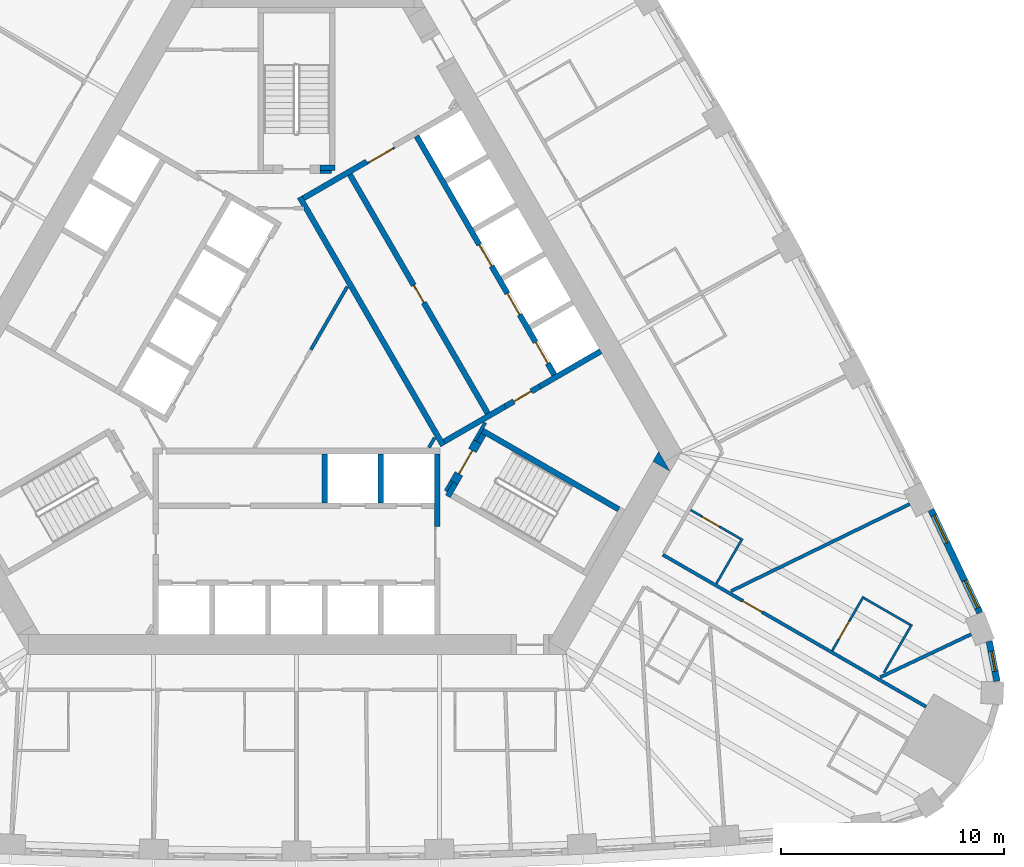
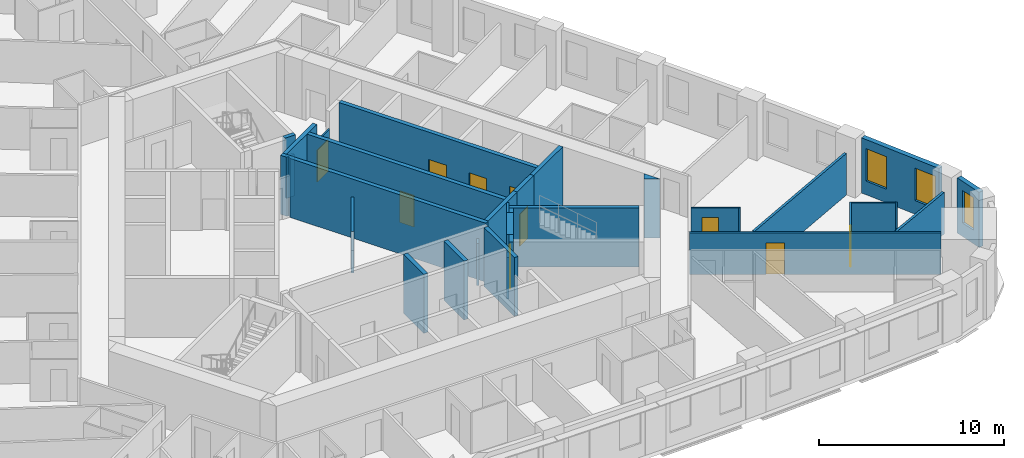
# One storey, part 8 of 13: 32 walls, 10 doors, 3 windows, 13 openings.
"""IFC4 building model written with IfcOpenShell, lengths in metres."""

from ifc_helpers import new_model, si_unit, direction, frame, frame_2d, origin, place, context, subcontext, project, spatial, polyline, rectangle, outline, extrude, material, layer, layer_set, type_object, element, fill, save


model = new_model("IFC4")

# Units and contexts
model_context = context("Model", 3, precision=1e-05, world=origin(), true_north=direction((0.0, 1.0)))
body_context = subcontext(model_context, "Body", "Model", "MODEL_VIEW")
ifc_project = project(units=[si_unit("LENGTHUNIT", "METRE"), si_unit("AREAUNIT", "SQUARE_METRE"), si_unit("VOLUMEUNIT", "CUBIC_METRE"), si_unit("PLANEANGLEUNIT", "RADIAN"), si_unit("MASSUNIT", "GRAM", prefix="KILO")], contexts=[model_context])

# Site, building, storey
site_placement = place(None, origin())
site = spatial("IfcSite", under=ifc_project, at=site_placement, CompositionType="ELEMENT")
building_placement = place(site_placement, origin())
building = spatial("IfcBuilding", under=site, at=building_placement, Name="Mestral Congress Tower", CompositionType="ELEMENT")
storey_placement = place(building_placement, frame((0.0, 0.0, 87.60009765625)))
storey = spatial("IfcBuildingStorey", under=building, at=storey_placement, Name="L20", CompositionType="ELEMENT", Elevation=87.60009765625)

# Walls
ifc_material_1 = material(Name="Fire-rated board partition")
ifc_layer_1 = layer(ifc_material_1, 0.14990234375)
ifc_layer_set_1 = layer_set([ifc_layer_1], Name="Fire-rated board partition")
wall_type_1 = type_object("IfcWallType", Name="Core partition 150", PredefinedType="PARTITIONING", material=ifc_layer_set_1)
wall_1_placement = place(storey_placement, frame((6.94482421875, -5.22216796875, 0.0), z_axis=(0.0, 0.0, 1.0), x_axis=(-0.499818422106, -0.866130212453, 0.0)))
element("IfcWall", 1, at=wall_1_placement, inside=storey, type_object=wall_type_1, Name="L20 core wall", PredefinedType="PARTITIONING", context=body_context, shape_type="SweptSolid", body=[
    extrude(rectangle(XDim=0.513916015625, YDim=0.14990234375, at=frame_2d((0.2568359375, 0.0))), origin(), (0.0, 0.0, 1.0), 2.75),
])
wall_2_placement = place(storey_placement, frame((5.935791015625, -3.718017578125, 0.0), z_axis=(0.0, 0.0, 1.0), x_axis=(0.499890179513, 0.866088799389, 0.0)))
element("IfcWall", 2, at=wall_2_placement, inside=storey, type_object=wall_type_1, Name="L20 core wall", PredefinedType="PARTITIONING", context=body_context, shape_type="SweptSolid", body=[
    extrude(rectangle(XDim=0.50390625, YDim=0.14990234375, at=frame_2d((0.251953125, 0.0))), origin(), (0.0, 0.0, 1.0), 2.75),
])
wall_3_placement = place(storey_placement, frame((0.64501953125, 0.6669921875, 0.0), z_axis=(0.0, 0.0, 1.0), x_axis=(0.499977178999, 0.866038579095, 0.0)))
element("IfcWall", 3, at=wall_3_placement, inside=storey, type_object=wall_type_1, Name="L20 core wall", PredefinedType="PARTITIONING", context=body_context, shape_type="SweptSolid", body=[
    extrude(rectangle(XDim=3.263427734375, YDim=0.14990234375, at=frame_2d((1.6318359375, 0.0))), origin(), (0.0, 0.0, 1.0), 2.75),
])
wall_4_placement = place(storey_placement, frame((1.050048828125, 8.62548828125, 0.0), z_axis=(0.0, 0.0, 1.0), x_axis=(1.0, 0.0, 0.0)))
element("IfcWall", 4, at=wall_4_placement, inside=storey, type_object=wall_type_1, Name="L20 core wall", PredefinedType="PARTITIONING", context=body_context, shape_type="SweptSolid", body=[
    extrude(rectangle(XDim=0.513916015625, YDim=0.14990234375, at=frame_2d((0.2568359375, 0.0))), origin(), (0.0, 0.0, 1.0), 2.75),
])

# Wall, opening, door
ifc_layer_2 = layer(ifc_material_1, 0.090087890625)
ifc_layer_set_2 = layer_set([ifc_layer_2], Name="Fire-rated board partition")
wall_type_2 = type_object("IfcWallType", Name="Core partition 150 door-wall 90", PredefinedType="PARTITIONING", material=ifc_layer_set_2)
wall_5_placement = place(storey_placement, frame((3.182861328125, 9.02001953125, 0.0), z_axis=(0.0, 0.0, 1.0), x_axis=(0.866034573852, 0.49998411664, 0.0)))
wall_5 = element("IfcWall", 5, at=wall_5_placement, inside=storey, type_object=wall_type_2, Name="L20 door wall", PredefinedType="PARTITIONING", context=body_context, shape_type="SweptSolid", body=[
    extrude(rectangle(XDim=1.39990234375, YDim=0.090087890625, at=frame_2d((0.699951171875, 0.0))), origin(), (0.0, 0.0, 1.0), 2.75),
])
opening_1_placement = place(wall_5_placement, frame((0.10009765625, 0.0, 0.0)))
opening_1 = element("IfcOpeningElement", 6, at=opening_1_placement, cuts=wall_5, Name="Opening LB1-WL2", PredefinedType="OPENING", context=body_context, shape_type="SweptSolid", body=[
    extrude(rectangle(XDim=1.199951171875, YDim=2.10009765625, at=frame_2d((0.60009765625, 1.050048828125))), frame((0.0, 0.054931640625, 0.0), z_axis=(0.0, -1.0, 0.0), x_axis=(1.0, 0.0, 0.0)), (0.0, 0.0, 1.0), 0.110107421875),
])
ifc_material_2 = material(Name="Fire-rated steel door set", Category="steel")
door_type_1 = type_object("IfcDoorType", Name="Core door LB 1200x2100", OperationType="SINGLE_SWING_LEFT", PredefinedType="DOOR", material=ifc_material_2)
door_1_placement = place(opening_1_placement, origin())
door_1 = element("IfcDoor", 7, at=door_1_placement, inside=storey, type_object=door_type_1, Name="Door LB1-WL2", OperationType="SINGLE_SWING_LEFT", OverallHeight=2.10009765625, OverallWidth=1.199951171875, PredefinedType="DOOR", context=body_context, shape_type="SweptSolid", body=[
    extrude(rectangle(XDim=1.199951171875, YDim=2.10009765625, at=frame_2d((0.60009765625, 1.050048828125))), frame((0.0, 0.02490234375, 0.0), z_axis=(0.0, -1.0, 0.0), x_axis=(1.0, 0.0, 0.0)), (0.0, 0.0, 1.0), 0.050048828125),
])
fill(opening_1, door_1)

# Wall
ifc_material_3 = material(Name="Concrete C60/75", Category="concrete")
ifc_layer_3 = layer(ifc_material_3, 0.89990234375)
ifc_layer_set_3 = layer_set([ifc_layer_3], Name="Concrete C60/75")
wall_type_3 = type_object("IfcWallType", Name="Core wall RC 900", PredefinedType="SOLIDWALL", material=ifc_layer_set_3)
placement = place(storey_placement, origin())
element("IfcWall", 8, at=placement, inside=storey, type_object=wall_type_3, Name="L20 core wall", PredefinedType="SOLIDWALL", context=body_context, shape_type="SweptSolid", body=[
    extrude(outline(polyline([(16.223388671875, -3.900146484375), (16.731689453125, -4.780029296875), (15.969482421875, -4.340087890625), (16.223388671875, -3.900146484375)])), origin(), (0.0, 0.0, 1.0), 3.89990234375),
])

# Wall, opening, window
ifc_material_4 = material(Name="Precast concrete C40/50 with limestone facing", Category="masonry")
ifc_layer_4 = layer(ifc_material_4, 0.2900390625)
ifc_layer_set_4 = layer_set([ifc_layer_4], Name="Precast concrete C40/50 with limestone facing")
wall_type_4 = type_object("IfcWallType", Name="Facade stone wall 290", PredefinedType="SOLIDWALL", material=ifc_layer_set_4)
wall_7_placement = place(storey_placement, frame((31.385498046875, -14.189208984375, 0.0), z_axis=(0.0, 0.0, 1.0), x_axis=(-0.190409913989, 0.981704672829, 0.0)))
wall_7 = element("IfcWall", 9, at=wall_7_placement, inside=storey, type_object=wall_type_4, Name="Facade wall K0-3", PredefinedType="SOLIDWALL", context=body_context, shape_type="SweptSolid", body=[
    extrude(rectangle(XDim=1.8193359375, YDim=0.2900390625, at=frame_2d((0.90966796875, 0.0))), origin(), (0.0, 0.0, 1.0), 3.64990234375),
])
opening_2_placement = place(wall_7_placement, frame((0.459716796875, 0.0, 0.89990234375)))
opening_2 = element("IfcOpeningElement", 10, at=opening_2_placement, cuts=wall_7, Name="Opening W3", PredefinedType="OPENING", context=body_context, shape_type="SweptSolid", body=[
    extrude(rectangle(XDim=0.89990234375, YDim=2.14990234375, at=frame_2d((0.449951171875, 1.074951171875))), frame((0.0, 0.155029296875, 0.0), z_axis=(0.0, -1.0, 0.0), x_axis=(1.0, 0.0, 0.0)), (0.0, 0.0, 1.0), 0.31005859375),
])
ifc_material_5 = material(Name="Clear low-emissivity double glazing", Category="glass")
window_type_1 = type_object("IfcWindowType", Name="Facade punched window 900 x 2150 sill 900", PartitioningType="SINGLE_PANEL", PredefinedType="WINDOW", material=ifc_material_5)
window_1_placement = place(opening_2_placement, origin())
window_1 = element("IfcWindow", 11, at=window_1_placement, inside=storey, type_object=window_type_1, Name="Window K0-3", OverallHeight=2.14990234375, OverallWidth=0.89990234375, PartitioningType="SINGLE_PANEL", PredefinedType="WINDOW", context=body_context, shape_type="SweptSolid", body=[
    extrude(rectangle(XDim=0.89990234375, YDim=2.14990234375, at=frame_2d((0.449951171875, 1.074951171875))), frame((0.0, 0.01513671875, 0.0), z_axis=(0.0, -1.0, 0.0), x_axis=(1.0, 0.0, 0.0)), (0.0, 0.0, 1.0), 0.06005859375),
])
fill(opening_2, window_1)

# Wall, openings, windows
wall_8_placement = place(storey_placement, frame((30.61962890625, -11.127197265625, 0.0), z_axis=(0.0, 0.0, 1.0), x_axis=(-0.427543726596, 0.903994669148, 0.0)))
wall_8 = element("IfcWall", 12, at=wall_8_placement, inside=storey, type_object=wall_type_4, Name="Facade wall F1-00", PredefinedType="SOLIDWALL", context=body_context, shape_type="SweptSolid", body=[
    extrude(rectangle(XDim=5.106689453125, YDim=0.2900390625, at=frame_2d((2.55322265625, 0.0))), origin(), (0.0, 0.0, 1.0), 3.64990234375),
])
opening_3_placement = place(wall_8_placement, frame((0.240478515625, 0.0, 0.89990234375)))
opening_3 = element("IfcOpeningElement", 13, at=opening_3_placement, cuts=wall_8, Name="Opening W2", PredefinedType="OPENING", context=body_context, shape_type="SweptSolid", body=[
    extrude(rectangle(XDim=1.35009765625, YDim=2.14990234375, at=frame_2d((0.675048828125, 1.074951171875))), frame((0.0, 0.155029296875, 0.0), z_axis=(0.0, -1.0, 0.0), x_axis=(1.0, 0.0, 0.0)), (0.0, 0.0, 1.0), 0.31005859375),
])
opening_4_placement = place(wall_8_placement, frame((3.47119140625, 0.0, 0.89990234375)))
opening_4 = element("IfcOpeningElement", 14, at=opening_4_placement, cuts=wall_8, Name="Opening W2", PredefinedType="OPENING", context=body_context, shape_type="SweptSolid", body=[
    extrude(rectangle(XDim=1.35009765625, YDim=2.14990234375, at=frame_2d((0.675048828125, 1.074951171875))), frame((0.0, 0.155029296875, 0.0), z_axis=(0.0, -1.0, 0.0), x_axis=(1.0, 0.0, 0.0)), (0.0, 0.0, 1.0), 0.31005859375),
])
window_type_2 = type_object("IfcWindowType", Name="Facade punched window 1350 x 2150 sill 900", PartitioningType="DOUBLE_PANEL_VERTICAL", PredefinedType="WINDOW", material=ifc_material_5)
window_2_placement = place(opening_3_placement, origin())
window_2 = element("IfcWindow", 15, at=window_2_placement, inside=storey, type_object=window_type_2, Name="Window F1-00a", OverallHeight=2.14990234375, OverallWidth=1.35009765625, PartitioningType="DOUBLE_PANEL_VERTICAL", PredefinedType="WINDOW", context=body_context, shape_type="SweptSolid", body=[
    extrude(rectangle(XDim=1.35009765625, YDim=2.14990234375, at=frame_2d((0.675048828125, 1.074951171875))), frame((0.0, 0.01513671875, 0.0), z_axis=(0.0, -1.0, 0.0), x_axis=(1.0, 0.0, 0.0)), (0.0, 0.0, 1.0), 0.06005859375),
])
fill(opening_3, window_2)
window_3_placement = place(opening_4_placement, origin())
window_3 = element("IfcWindow", 16, at=window_3_placement, inside=storey, type_object=window_type_2, Name="Window F1-00b", OverallHeight=2.14990234375, OverallWidth=1.35009765625, PartitioningType="DOUBLE_PANEL_VERTICAL", PredefinedType="WINDOW", context=body_context, shape_type="SweptSolid", body=[
    extrude(rectangle(XDim=1.35009765625, YDim=2.14990234375, at=frame_2d((0.675048828125, 1.074951171875))), frame((0.0, 0.01513671875, 0.0), z_axis=(0.0, -1.0, 0.0), x_axis=(1.0, 0.0, 0.0)), (0.0, 0.0, 1.0), 0.06005859375),
])
fill(opening_4, window_3)

# Wall, opening, door
ifc_material_6 = material(Name="Gypsum board partition on metal studs with mineral wool", Category="composite")
ifc_layer_5 = layer(ifc_material_6, 0.10009765625)
ifc_layer_set_5 = layer_set([ifc_layer_5], Name="Gypsum board partition on metal studs with mineral wool")
wall_type_5 = type_object("IfcWallType", Name="Hotel partition wall 100", PredefinedType="PARTITIONING", material=ifc_layer_set_5)
wall_9_placement = place(storey_placement, frame((25.404052734375, -10.39453125, 0.0), z_axis=(0.0, 0.0, 1.0), x_axis=(-0.500011755427, -0.866018616679, 0.0)))
wall_9 = element("IfcWall", 17, at=wall_9_placement, inside=storey, type_object=wall_type_5, Name="L20-h-pod10a", PredefinedType="PARTITIONING", context=body_context, shape_type="SweptSolid", body=[
    extrude(rectangle(XDim=2.80029296875, YDim=0.10009765625, at=frame_2d((1.400146484375, 0.0))), origin(), (0.0, 0.0, 1.0), 2.75),
])
opening_5_placement = place(wall_9_placement, frame((1.300048828125, 0.0, 0.0)))
opening_5 = element("IfcOpeningElement", 18, at=opening_5_placement, cuts=wall_9, Name="Opening H06-019", PredefinedType="OPENING", context=body_context, shape_type="SweptSolid", body=[
    extrude(rectangle(XDim=0.89990234375, YDim=2.10009765625, at=frame_2d((0.449951171875, 1.050048828125))), frame((0.0, 0.06005859375, 0.0), z_axis=(0.0, -1.0, 0.0), x_axis=(1.0, 0.0, 0.0)), (0.0, 0.0, 1.0), 0.1201171875),
])
ifc_material_7 = material(Name="Timber veneer door leaf in timber frame", Category="wood")
door_type_2 = type_object("IfcDoorType", Name="Bathroom door 900", OperationType="SINGLE_SWING_LEFT", PredefinedType="DOOR", material=ifc_material_7)
door_2_placement = place(opening_5_placement, origin())
door_2 = element("IfcDoor", 19, at=door_2_placement, inside=storey, type_object=door_type_2, Name="L20-h-d019", OperationType="SINGLE_SWING_LEFT", OverallHeight=2.10009765625, OverallWidth=0.89990234375, PredefinedType="DOOR", context=body_context, shape_type="SweptSolid", body=[
    extrude(rectangle(XDim=0.89990234375, YDim=2.10009765625, at=frame_2d((0.449951171875, 1.050048828125))), frame((0.0, 0.02490234375, 0.0), z_axis=(0.0, -1.0, 0.0), x_axis=(1.0, 0.0, 0.0)), (0.0, 0.0, 1.0), 0.050048828125),
])
fill(opening_5, door_2)

# Walls
wall_10_placement = place(storey_placement, frame((25.42236328125, -10.462890625, 0.0), z_axis=(0.0, 0.0, 1.0), x_axis=(0.866024647952, -0.500001309137, 0.0)))
element("IfcWall", 20, at=wall_10_placement, inside=storey, type_object=wall_type_5, Name="L20-h-pod10b", PredefinedType="PARTITIONING", context=body_context, shape_type="SweptSolid", body=[
    extrude(rectangle(XDim=2.39990234375, YDim=0.10009765625, at=frame_2d((1.199951171875, 0.0))), origin(), (0.0, 0.0, 1.0), 2.75),
])
wall_11_placement = place(storey_placement, frame((26.319091796875, -13.809814453125, 0.0), z_axis=(0.0, 0.0, 1.0), x_axis=(0.499961950354, 0.866047370643, 0.0)))
element("IfcWall", 21, at=wall_11_placement, inside=storey, type_object=wall_type_5, Name="L20-h-pod10c", PredefinedType="PARTITIONING", context=body_context, shape_type="SweptSolid", body=[
    extrude(rectangle(XDim=2.500244140625, YDim=0.10009765625, at=frame_2d((1.25, 0.0))), origin(), (0.0, 0.0, 1.0), 2.75),
])

# Wall, opening, door
wall_12_placement = place(storey_placement, frame((19.99560546875, -7.86669921875, 0.0), z_axis=(0.0, 0.0, 1.0), x_axis=(-0.866019956843, 0.50000943426, 0.0)))
wall_12 = element("IfcWall", 22, at=wall_12_placement, inside=storey, type_object=wall_type_5, Name="L20-h-pod11a", PredefinedType="PARTITIONING", context=body_context, shape_type="SweptSolid", body=[
    extrude(rectangle(XDim=2.7001953125, YDim=0.10009765625, at=frame_2d((1.35009765625, 0.0))), origin(), (0.0, 0.0, 1.0), 2.75),
])
opening_6_placement = place(wall_12_placement, frame((1.199951171875, 0.0, 0.0)))
opening_6 = element("IfcOpeningElement", 23, at=opening_6_placement, cuts=wall_12, Name="Opening H06-021", PredefinedType="OPENING", context=body_context, shape_type="SweptSolid", body=[
    extrude(rectangle(XDim=0.89990234375, YDim=2.10009765625, at=frame_2d((0.449951171875, 1.050048828125))), frame((0.0, 0.06005859375, 0.0), z_axis=(0.0, -1.0, 0.0), x_axis=(1.0, 0.0, 0.0)), (0.0, 0.0, 1.0), 0.1201171875),
])
door_3_placement = place(opening_6_placement, origin())
door_3 = element("IfcDoor", 24, at=door_3_placement, inside=storey, type_object=door_type_2, Name="L20-h-d021", OperationType="SINGLE_SWING_LEFT", OverallHeight=2.10009765625, OverallWidth=0.89990234375, PredefinedType="DOOR", context=body_context, shape_type="SweptSolid", body=[
    extrude(rectangle(XDim=0.89990234375, YDim=2.10009765625, at=frame_2d((0.449951171875, 1.050048828125))), frame((0.0, 0.02490234375, 0.0), z_axis=(0.0, -1.0, 0.0), x_axis=(1.0, 0.0, 0.0)), (0.0, 0.0, 1.0), 0.050048828125),
])
fill(opening_6, door_3)

# Wall
wall_13_placement = place(storey_placement, frame((19.922119140625, -7.893798828125, 0.0), z_axis=(0.0, 0.0, 1.0), x_axis=(-0.499995378973, -0.866028071719, 0.0)))
element("IfcWall", 25, at=wall_13_placement, inside=storey, type_object=wall_type_5, Name="L20-h-pod11b", PredefinedType="PARTITIONING", context=body_context, shape_type="SweptSolid", body=[
    extrude(rectangle(XDim=2.2197265625, YDim=0.10009765625, at=frame_2d((1.10986328125, 0.0))), origin(), (0.0, 0.0, 1.0), 2.75),
])

# Wall, opening, door
ifc_layer_6 = layer(ifc_material_6, 0.14990234375)
ifc_layer_set_6 = layer_set([ifc_layer_6], Name="Gypsum board partition on metal studs with mineral wool")
wall_type_6 = type_object("IfcWallType", Name="Hotel partition wall 150", PredefinedType="PARTITIONING", material=ifc_layer_set_6)
wall_14_placement = place(storey_placement, frame((16.412353515625, -8.52294921875, 0.0), z_axis=(0.0, 0.0, 1.0), x_axis=(0.866025629663, -0.499999608766, 0.0)))
wall_14 = element("IfcWall", 26, at=wall_14_placement, inside=storey, type_object=wall_type_6, Name="L20-h-cw01", PredefinedType="PARTITIONING", context=body_context, shape_type="SweptSolid", body=[
    extrude(rectangle(XDim=13.62353515625, YDim=0.14990234375, at=frame_2d((6.811767578125, 0.0))), origin(), (0.0, 0.0, 1.0), 2.75),
])
opening_7_placement = place(wall_14_placement, frame((4.134033203125, 0.0, 0.0)))
opening_7 = element("IfcOpeningElement", 27, at=opening_7_placement, cuts=wall_14, Name="Opening H06-018", PredefinedType="OPENING", context=body_context, shape_type="SweptSolid", body=[
    extrude(rectangle(XDim=1.0, YDim=2.10009765625, at=frame_2d((0.5, 1.050048828125))), frame((0.0, 0.0849609375, 0.0), z_axis=(0.0, -1.0, 0.0), x_axis=(1.0, 0.0, 0.0)), (0.0, 0.0, 1.0), 0.169921875),
])
ifc_material_8 = material(Name="Timber veneer door leaf in metal frame", Category="wood")
door_type_3 = type_object("IfcDoorType", Name="Guest room entrance door 1000", OperationType="SINGLE_SWING_LEFT", PredefinedType="DOOR", material=ifc_material_8)
door_4_placement = place(opening_7_placement, origin())
door_4 = element("IfcDoor", 28, at=door_4_placement, inside=storey, type_object=door_type_3, Name="L20-h-d018", OperationType="SINGLE_SWING_LEFT", OverallHeight=2.10009765625, OverallWidth=1.0, PredefinedType="DOOR", context=body_context, shape_type="SweptSolid", body=[
    extrude(rectangle(XDim=1.0, YDim=2.10009765625, at=frame_2d((0.5, 1.050048828125))), frame((0.0, 0.02490234375, 0.0), z_axis=(0.0, -1.0, 0.0), x_axis=(1.0, 0.0, 0.0)), (0.0, 0.0, 1.0), 0.050048828125),
])
fill(opening_7, door_4)

# Walls
wall_15_placement = place(storey_placement, frame((27.478515625, -6.2509765625, 0.0), z_axis=(0.0, 0.0, 1.0), x_axis=(-0.898945877276, -0.438059710231, 0.0)))
element("IfcWall", 29, at=wall_15_placement, inside=storey, type_object=wall_type_6, Name="L20-h-pw28", PredefinedType="PARTITIONING", context=body_context, shape_type="SweptSolid", body=[
    extrude(rectangle(XDim=8.909423828125, YDim=0.14990234375, at=frame_2d((4.45458984375, 0.0))), origin(), (0.0, 0.0, 1.0), 2.75),
])
wall_16_placement = place(storey_placement, frame((30.23095703125, -12.08544921875, 0.0), z_axis=(0.0, 0.0, 1.0), x_axis=(-0.904001132572, -0.427530060122, 0.0)))
element("IfcWall", 30, at=wall_16_placement, inside=storey, type_object=wall_type_6, Name="L20-h-pw29", PredefinedType="PARTITIONING", context=body_context, shape_type="SweptSolid", body=[
    extrude(rectangle(XDim=4.509521484375, YDim=0.14990234375, at=frame_2d((2.2548828125, 0.0))), origin(), (0.0, 0.0, 1.0), 2.75),
])
ifc_layer_7 = layer(ifc_material_3, 0.25)
ifc_layer_set_7 = layer_set([ifc_layer_7], Name="Concrete C60/75")
wall_type_7 = type_object("IfcWallType", Name="Shaft wall RC 250", PredefinedType="SOLIDWALL", material=ifc_layer_set_7)
wall_17_placement = place(storey_placement, frame((6.300048828125, -7.26806640625, 0.0), z_axis=(0.0, 0.0, 1.0), x_axis=(0.0, 1.0, 0.0)))
element("IfcWall", 31, at=wall_17_placement, inside=storey, type_object=wall_type_7, Name="L20 core wall", PredefinedType="SOLIDWALL", context=body_context, shape_type="SweptSolid", body=[
    extrude(rectangle(XDim=3.26806640625, YDim=0.25, at=frame_2d((1.634033203125, 0.0))), origin(), (0.0, 0.0, 1.0), 3.89990234375),
])
for number, where, z_axis, x_axis, name in (
    (32, (3.780029296875, -4.0, 0.0), (0.0, 0.0, 1.0), (0.0, -1.0, 0.0), "L20 core wall"),
    (33, (1.260009765625, -4.0, 0.0), (0.0, 0.0, 1.0), (0.0, -1.0, 0.0), "L20 core wall"),
):
    element("IfcWall", number, at=place(storey_placement, frame(where, z_axis=z_axis, x_axis=x_axis)), inside=storey, type_object=wall_type_7, Name=name, PredefinedType="SOLIDWALL", context=body_context, shape_type="SweptSolid", body=[
        extrude(rectangle(XDim=2.199951171875, YDim=0.25, at=frame_2d((1.10009765625, 0.0))), origin(), (0.0, 0.0, 1.0), 3.89990234375),
    ])
wall_18_placement = place(storey_placement, frame((13.62890625, 0.593994140625, 0.0), z_axis=(0.0, 0.0, 1.0), x_axis=(-0.86602790099, -0.499995674689, 0.0)))
element("IfcWall", 34, at=wall_18_placement, inside=storey, type_object=wall_type_7, Name="L20 core wall", PredefinedType="SOLIDWALL", context=body_context, shape_type="SweptSolid", body=[
    extrude(rectangle(XDim=3.1455078125, YDim=0.25, at=frame_2d((1.57275390625, 0.0))), origin(), (0.0, 0.0, 1.0), 3.89990234375),
])
element("IfcWall", 35, at=placement, inside=storey, type_object=wall_type_7, Name="L20 core wall", PredefinedType="SOLIDWALL", context=body_context, shape_type="SweptSolid", body=[
    extrude(outline(polyline([(0.334716796875, 6.925048828125), (0.334716796875, 7.074951171875), (0.334716796875, 7.074951171875), (0.334716796875, 7.0751953125), (0.245361328125, 7.0751953125), (0.079345703125, 7.362548828125), (0.03515625, 7.439208984375), (0.251708984375, 7.564208984375), (0.376708984375, 7.34765625), (6.551513671875, -3.34765625), (6.676513671875, -3.564208984375), (6.460205078125, -3.689208984375), (4.896728515625, -0.981201171875), (0.33203125, 6.9248046875), (0.334716796875, 6.9248046875), (0.334716796875, 6.925048828125), (0.334716796875, 6.925048828125)])), origin(), (0.0, 0.0, 1.0), 3.89990234375),
])
wall_20_placement = place(storey_placement, frame((0.314208984375, 7.455810546875, 0.0), z_axis=(0.0, 0.0, 1.0), x_axis=(0.866013897511, 0.50001992892, 0.0)))
element("IfcWall", 36, at=wall_20_placement, inside=storey, type_object=wall_type_7, Name="L20 core wall", PredefinedType="SOLIDWALL", context=body_context, shape_type="SweptSolid", body=[
    extrude(rectangle(XDim=3.267822265625, YDim=0.25, at=frame_2d((1.6337890625, 0.0))), origin(), (0.0, 0.0, 1.0), 3.89990234375),
])
wall_21_placement = place(storey_placement, frame((6.614013671875, -3.4560546875, 0.0), z_axis=(0.0, 0.0, 1.0), x_axis=(0.86602447079, 0.500001615989, 0.0)))
element("IfcWall", 37, at=wall_21_placement, inside=storey, type_object=wall_type_7, Name="L20 core wall", PredefinedType="SOLIDWALL", context=body_context, shape_type="SweptSolid", body=[
    extrude(rectangle(XDim=3.154296875, YDim=0.25, at=frame_2d((1.5771484375, 0.0))), origin(), (0.0, 0.0, 1.0), 3.89990234375),
])

# Wall, openings, doors
wall_22_placement = place(storey_placement, frame((11.552978515625, -0.460205078125, 0.0), z_axis=(0.0, 0.0, 1.0), x_axis=(-0.500006514828, 0.866021642414, 0.0)))
wall_22 = element("IfcWall", 38, at=wall_22_placement, inside=storey, type_object=wall_type_7, Name="L20 door wall", PredefinedType="SOLIDWALL", context=body_context, shape_type="SweptSolid", body=[
    extrude(rectangle(XDim=12.349853515625, YDim=0.25, at=frame_2d((6.1748046875, 0.0))), origin(), (0.0, 0.0, 1.0), 3.89990234375),
])
opening_8_placement = place(wall_22_placement, frame((0.5849609375, 0.0, 0.0)))
opening_8 = element("IfcOpeningElement", 39, at=opening_8_placement, cuts=wall_22, Name="Opening LD-NEA1", PredefinedType="OPENING", context=body_context, shape_type="SweptSolid", body=[
    extrude(rectangle(XDim=1.10009765625, YDim=2.10009765625, at=frame_2d((0.550048828125, 1.050048828125))), frame((0.0, 0.135009765625, 0.0), z_axis=(0.0, -1.0, 0.0), x_axis=(1.0, 0.0, 0.0)), (0.0, 0.0, 1.0), 0.27001953125),
])
opening_9_placement = place(wall_22_placement, frame((3.10498046875, 0.0, 0.0)))
opening_9 = element("IfcOpeningElement", 40, at=opening_9_placement, cuts=wall_22, Name="Opening LD-NEA2", PredefinedType="OPENING", context=body_context, shape_type="SweptSolid", body=[
    extrude(rectangle(XDim=1.10009765625, YDim=2.10009765625, at=frame_2d((0.550048828125, 1.050048828125))), frame((0.0, 0.135009765625, 0.0), z_axis=(0.0, -1.0, 0.0), x_axis=(1.0, 0.0, 0.0)), (0.0, 0.0, 1.0), 0.27001953125),
])
opening_10_placement = place(wall_22_placement, frame((5.625, 0.0, 0.0)))
opening_10 = element("IfcOpeningElement", 41, at=opening_10_placement, cuts=wall_22, Name="Opening LD-NEA3", PredefinedType="OPENING", context=body_context, shape_type="SweptSolid", body=[
    extrude(rectangle(XDim=1.10009765625, YDim=2.10009765625, at=frame_2d((0.550048828125, 1.050048828125))), frame((0.0, 0.135009765625, 0.0), z_axis=(0.0, -1.0, 0.0), x_axis=(1.0, 0.0, 0.0)), (0.0, 0.0, 1.0), 0.27001953125),
])
door_type_4 = type_object("IfcDoorType", Name="Core door LD 1100x2100", OperationType="DOUBLE_DOOR_SLIDING", PredefinedType="DOOR", material=ifc_material_2)
door_5_placement = place(opening_8_placement, origin())
door_5 = element("IfcDoor", 42, at=door_5_placement, inside=storey, type_object=door_type_4, Name="Door LD-NEA1", OperationType="DOUBLE_DOOR_SLIDING", OverallHeight=2.10009765625, OverallWidth=1.10009765625, PredefinedType="DOOR", context=body_context, shape_type="SweptSolid", body=[
    extrude(rectangle(XDim=1.10009765625, YDim=2.10009765625, at=frame_2d((0.550048828125, 1.050048828125))), frame((0.0, 0.02490234375, 0.0), z_axis=(0.0, -1.0, 0.0), x_axis=(1.0, 0.0, 0.0)), (0.0, 0.0, 1.0), 0.050048828125),
])
fill(opening_8, door_5)
door_6_placement = place(opening_9_placement, origin())
door_6 = element("IfcDoor", 43, at=door_6_placement, inside=storey, type_object=door_type_4, Name="Door LD-NEA2", OperationType="DOUBLE_DOOR_SLIDING", OverallHeight=2.10009765625, OverallWidth=1.10009765625, PredefinedType="DOOR", context=body_context, shape_type="SweptSolid", body=[
    extrude(rectangle(XDim=1.10009765625, YDim=2.10009765625, at=frame_2d((0.550048828125, 1.050048828125))), frame((0.0, 0.02490234375, 0.0), z_axis=(0.0, -1.0, 0.0), x_axis=(1.0, 0.0, 0.0)), (0.0, 0.0, 1.0), 0.050048828125),
])
fill(opening_9, door_6)
door_7_placement = place(opening_10_placement, origin())
door_7 = element("IfcDoor", 44, at=door_7_placement, inside=storey, type_object=door_type_4, Name="Door LD-NEA3", OperationType="DOUBLE_DOOR_SLIDING", OverallHeight=2.10009765625, OverallWidth=1.10009765625, PredefinedType="DOOR", context=body_context, shape_type="SweptSolid", body=[
    extrude(rectangle(XDim=1.10009765625, YDim=2.10009765625, at=frame_2d((0.550048828125, 1.050048828125))), frame((0.0, 0.02490234375, 0.0), z_axis=(0.0, -1.0, 0.0), x_axis=(1.0, 0.0, 0.0)), (0.0, 0.0, 1.0), 0.050048828125),
])
fill(opening_10, door_7)

# Wall, opening, door
wall_23_placement = place(storey_placement, frame((8.565185546875, -2.185302734375, 0.0), z_axis=(0.0, 0.0, 1.0), x_axis=(-0.499997954832, 0.866026584559, 0.0)))
wall_23 = element("IfcWall", 45, at=wall_23_placement, inside=storey, type_object=wall_type_7, Name="L20 door wall", PredefinedType="SOLIDWALL", context=body_context, shape_type="SweptSolid", body=[
    extrude(rectangle(XDim=12.35009765625, YDim=0.25, at=frame_2d((6.175048828125, 0.0))), origin(), (0.0, 0.0, 1.0), 3.89990234375),
])
opening_11_placement = place(wall_23_placement, frame((5.72509765625, 0.0, 0.0)))
opening_11 = element("IfcOpeningElement", 46, at=opening_11_placement, cuts=wall_23, Name="Opening SR-NEB1", PredefinedType="OPENING", context=body_context, shape_type="SweptSolid", body=[
    extrude(rectangle(XDim=0.89990234375, YDim=2.10009765625, at=frame_2d((0.449951171875, 1.050048828125))), frame((0.0, 0.135009765625, 0.0), z_axis=(0.0, -1.0, 0.0), x_axis=(1.0, 0.0, 0.0)), (0.0, 0.0, 1.0), 0.27001953125),
])
door_type_5 = type_object("IfcDoorType", Name="Core door SR 900x2100", OperationType="SINGLE_SWING_LEFT", PredefinedType="DOOR", material=ifc_material_2)
door_8_placement = place(opening_11_placement, origin())
door_8 = element("IfcDoor", 47, at=door_8_placement, inside=storey, type_object=door_type_5, Name="Door SR-NEB1", OperationType="SINGLE_SWING_LEFT", OverallHeight=2.10009765625, OverallWidth=0.89990234375, PredefinedType="DOOR", context=body_context, shape_type="SweptSolid", body=[
    extrude(rectangle(XDim=0.89990234375, YDim=2.10009765625, at=frame_2d((0.449951171875, 1.050048828125))), frame((0.0, 0.02490234375, 0.0), z_axis=(0.0, -1.0, 0.0), x_axis=(1.0, 0.0, 0.0)), (0.0, 0.0, 1.0), 0.050048828125),
])
fill(opening_11, door_8)

wall_24_placement = place(storey_placement, frame((9.345947265625, -1.878662109375, 0.0), z_axis=(0.0, 0.0, 1.0), x_axis=(0.866047807691, 0.499961193289, 0.0)))
wall_24 = element("IfcWall", 48, at=wall_24_placement, inside=storey, type_object=wall_type_7, Name="L20 door wall", PredefinedType="SOLIDWALL", context=body_context, shape_type="SweptSolid", body=[
    extrude(rectangle(XDim=1.800048828125, YDim=0.25, at=frame_2d((0.89990234375, 0.0))), origin(), (0.0, 0.0, 1.0), 3.89990234375),
])
opening_12_placement = place(wall_24_placement, frame((0.449951171875, 0.0, 0.0)))
opening_12 = element("IfcOpeningElement", 49, at=opening_12_placement, cuts=wall_24, Name="Opening TD1", PredefinedType="OPENING", context=body_context, shape_type="SweptSolid", body=[
    extrude(rectangle(XDim=0.89990234375, YDim=2.10009765625, at=frame_2d((0.449951171875, 1.050048828125))), frame((0.0, 0.135009765625, 0.0), z_axis=(0.0, -1.0, 0.0), x_axis=(1.0, 0.0, 0.0)), (0.0, 0.0, 1.0), 0.27001953125),
])
door_9_placement = place(opening_12_placement, origin())
door_9 = element("IfcDoor", 50, at=door_9_placement, inside=storey, type_object=door_type_5, Name="Door TD1", OperationType="SINGLE_SWING_LEFT", OverallHeight=2.10009765625, OverallWidth=0.89990234375, PredefinedType="DOOR", context=body_context, shape_type="SweptSolid", body=[
    extrude(rectangle(XDim=0.89990234375, YDim=2.10009765625, at=frame_2d((0.449951171875, 1.050048828125))), frame((0.0, 0.02490234375, 0.0), z_axis=(0.0, -1.0, 0.0), x_axis=(1.0, 0.0, 0.0)), (0.0, 0.0, 1.0), 0.050048828125),
])
fill(opening_12, door_9)

# Walls
ifc_layer_8 = layer(ifc_material_3, 0.14990234375)
ifc_layer_set_8 = layer_set([ifc_layer_8], Name="Concrete C60/75")
wall_type_8 = type_object("IfcWallType", Name="Shaft wall RC 250 door-wall 150", PredefinedType="SOLIDWALL", material=ifc_layer_set_8)
wall_25_placement = place(storey_placement, frame((8.459228515625, -2.59912109375, 0.0), z_axis=(0.0, 0.0, 1.0), x_axis=(-0.500041054325, -0.866001699761, 0.0)))
element("IfcWall", 51, at=wall_25_placement, inside=storey, type_object=wall_type_8, Name="L20 core wall", PredefinedType="PARTITIONING", context=body_context, shape_type="SweptSolid", body=[
    extrude(rectangle(XDim=0.9287109375, YDim=0.14990234375, at=frame_2d((0.46435546875, 0.0))), origin(), (0.0, 0.0, 1.0), 3.89990234375),
])
ifc_layer_9 = layer(ifc_material_3, 0.25)
ifc_layer_set_9 = layer_set([ifc_layer_9], Name="Concrete C60/75")
wall_type_9 = type_object("IfcWallType", Name="Stair wall RC 250", PredefinedType="SOLIDWALL", material=ifc_layer_set_9)
wall_26_placement = place(storey_placement, frame((6.780029296875, -5.906494140625, 0.0), z_axis=(0.0, 0.0, 1.0), x_axis=(0.500223362819, 0.865896406789, 0.0)))
element("IfcWall", 52, at=wall_26_placement, inside=storey, type_object=wall_type_9, Name="L20 core wall", PredefinedType="SOLIDWALL", context=body_context, shape_type="SweptSolid", body=[
    extrude(rectangle(XDim=0.675048828125, YDim=0.25, at=frame_2d((0.33740234375, 0.0))), origin(), (0.0, 0.0, 1.0), 3.89990234375),
])
wall_27_placement = place(storey_placement, frame((8.33447265625, -2.96435546875, 0.0), z_axis=(0.0, 0.0, 1.0), x_axis=(0.866016039709, -0.500016218704, 0.0)))
element("IfcWall", 53, at=wall_27_placement, inside=storey, type_object=wall_type_9, Name="L20 core wall", PredefinedType="SOLIDWALL", context=body_context, shape_type="SweptSolid", body=[
    extrude(rectangle(XDim=7.050048828125, YDim=0.25, at=frame_2d((3.52490234375, 0.0))), origin(), (0.0, 0.0, 1.0), 3.89990234375),
])
wall_28_placement = place(storey_placement, frame((8.167724609375, -3.503173828125, 0.0), z_axis=(0.0, 0.0, 1.0), x_axis=(0.49972245349, 0.866185586049, 0.0)))
element("IfcWall", 54, at=wall_28_placement, inside=storey, type_object=wall_type_9, Name="L20 core wall", PredefinedType="SOLIDWALL", context=body_context, shape_type="SweptSolid", body=[
    extrude(rectangle(XDim=0.425048828125, YDim=0.25, at=frame_2d((0.21240234375, 0.0))), origin(), (0.0, 0.0, 1.0), 3.89990234375),
])
wall_29_placement = place(storey_placement, frame((1.050048828125, 8.824951171875, 0.0), z_axis=(0.0, 0.0, 1.0), x_axis=(1.0, 0.0, 0.0)))
element("IfcWall", 55, at=wall_29_placement, inside=storey, type_object=wall_type_9, Name="L20 core wall", PredefinedType="SOLIDWALL", context=body_context, shape_type="SweptSolid", body=[
    extrude(rectangle(XDim=0.675048828125, YDim=0.25, at=frame_2d((0.33740234375, 0.0))), origin(), (0.0, 0.0, 1.0), 3.89990234375),
])

# Wall, opening, door
ifc_layer_10 = layer(ifc_material_3, 0.39990234375)
ifc_layer_set_10 = layer_set([ifc_layer_10], Name="Concrete C60/75")
wall_type_10 = type_object("IfcWallType", Name="Stair wall RC 250 door-wall 400", PredefinedType="SOLIDWALL", material=ifc_layer_set_10)
wall_30_placement = place(storey_placement, frame((7.052734375, -5.2841796875, 0.0), z_axis=(0.0, 0.0, 1.0), x_axis=(0.500078061341, 0.865980330357, 0.0)))
wall_30 = element("IfcWall", 56, at=wall_30_placement, inside=storey, type_object=wall_type_10, Name="L20 door wall", PredefinedType="SOLIDWALL", context=body_context, shape_type="SweptSolid", body=[
    extrude(rectangle(XDim=2.099853515625, YDim=0.39990234375, at=frame_2d((1.0498046875, 0.0))), origin(), (0.0, 0.0, 1.0), 3.89990234375),
])
opening_13_placement = place(wall_30_placement, frame((0.449951171875, 0.0, 0.0)))
opening_13 = element("IfcOpeningElement", 57, at=opening_13_placement, cuts=wall_30, Name="Opening ST-D1", PredefinedType="OPENING", context=body_context, shape_type="SweptSolid", body=[
    extrude(rectangle(XDim=1.199951171875, YDim=2.10009765625, at=frame_2d((0.60009765625, 1.050048828125))), frame((0.0, 0.2099609375, 0.0), z_axis=(0.0, -1.0, 0.0), x_axis=(1.0, 0.0, 0.0)), (0.0, 0.0, 1.0), 0.419921875),
])
door_type_6 = type_object("IfcDoorType", Name="Core door ST 1200x2100", OperationType="SINGLE_SWING_LEFT", PredefinedType="DOOR", material=ifc_material_2)
door_10_placement = place(opening_13_placement, origin())
door_10 = element("IfcDoor", 58, at=door_10_placement, inside=storey, type_object=door_type_6, Name="Door ST-D1", OperationType="SINGLE_SWING_LEFT", OverallHeight=2.10009765625, OverallWidth=1.199951171875, PredefinedType="DOOR", context=body_context, shape_type="SweptSolid", body=[
    extrude(rectangle(XDim=1.199951171875, YDim=2.10009765625, at=frame_2d((0.60009765625, 1.050048828125))), frame((0.0, 0.02490234375, 0.0), z_axis=(0.0, -1.0, 0.0), x_axis=(1.0, 0.0, 0.0)), (0.0, 0.0, 1.0), 0.050048828125),
])
fill(opening_13, door_10)

save(model, "model.ifc")
